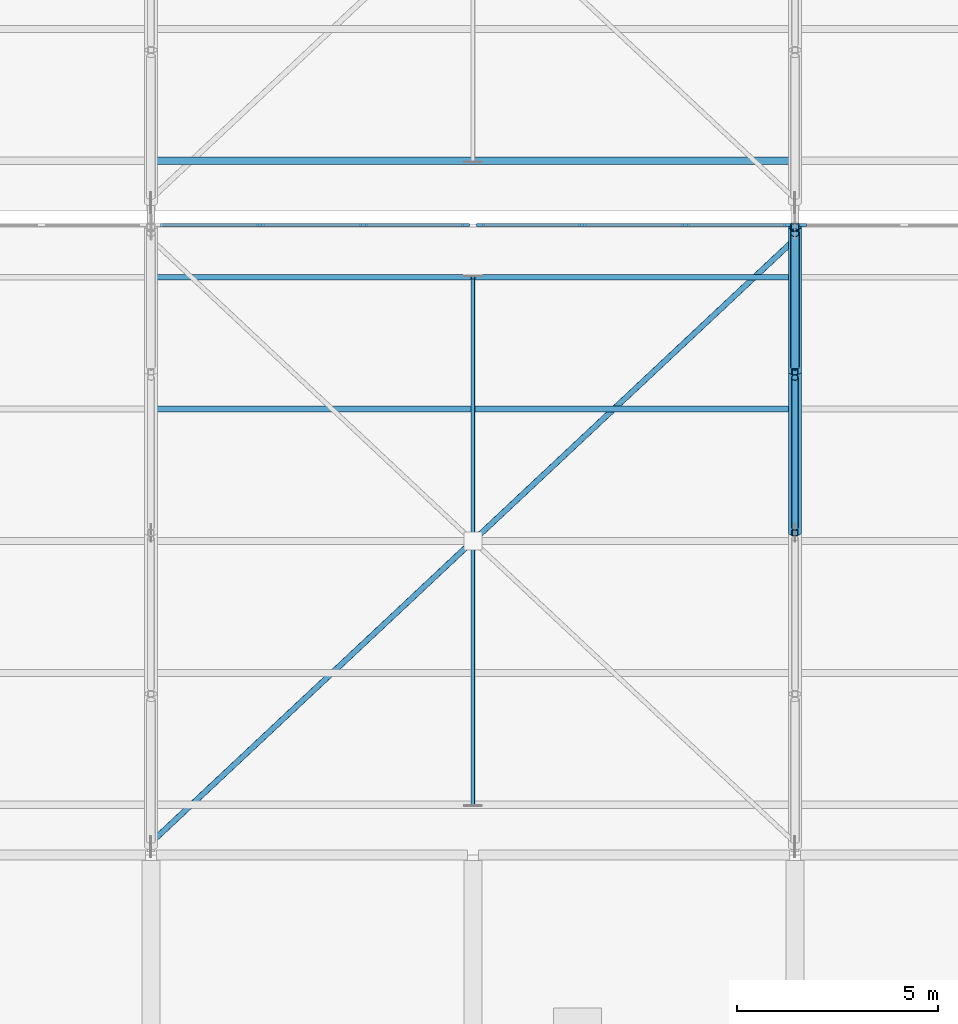
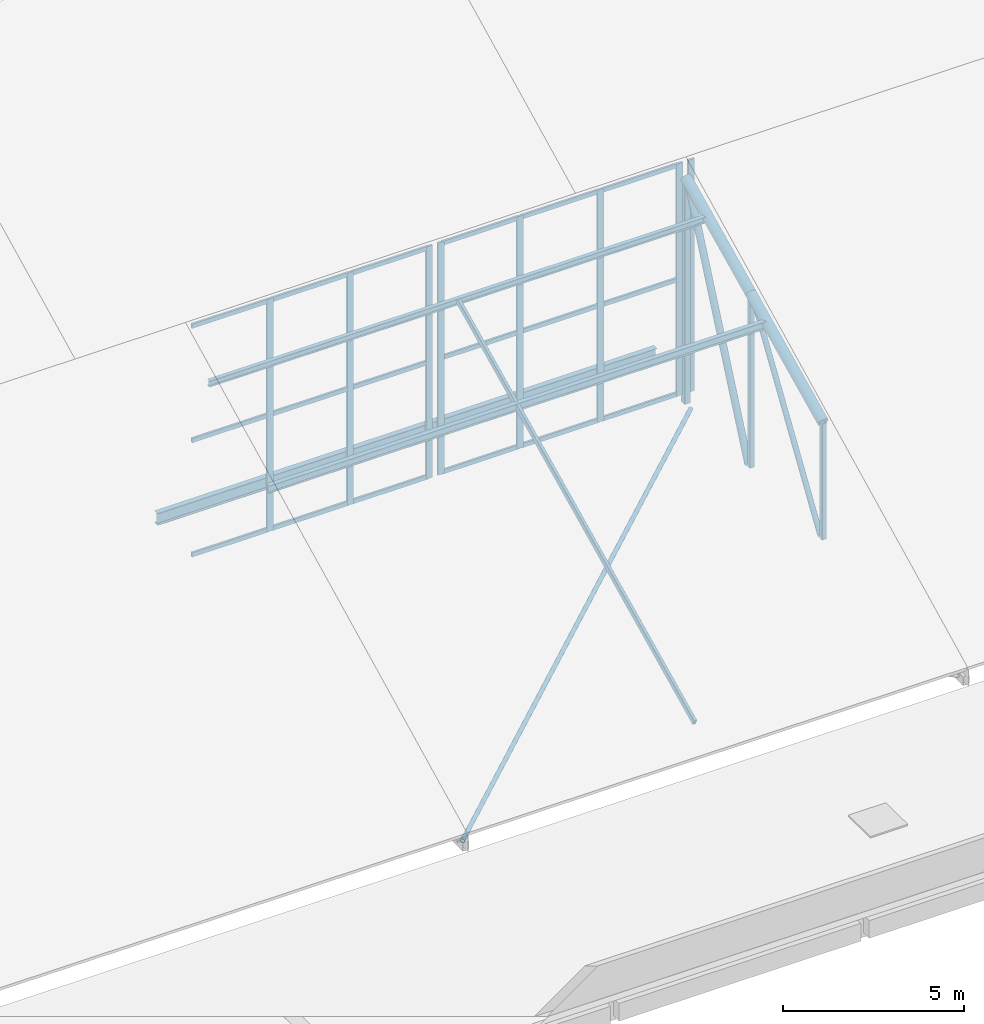
# One storey, part 77 of 137: 35 members, 3 beams, 3 elements without a shape of their own.
"""IFC4 building model written with IfcOpenShell, lengths in metres."""

import ifcopenshell
import ifcopenshell.guid

model = None  # the IFC model being written
_history = None  # IfcOwnerHistory: only IFC2X3 demands one
_inside = {}  # id of a spatial element -> (the spatial element, [elements in it])
_under = {}  # id of a project, library or spatial element -> (it, [spatial elements below it])
_declared = {}  # id of a project -> (the project, [libraries it declares])
_typed = {}  # id of a type object -> (the type object, [elements of that type])
_made_of = {}  # id of a material, layer set ... -> (it, [elements and type objects made of it])


def new_model(schema):
    """Start an empty IFC model of exactly this schema.

    Asked for "IFC4X3", IfcOpenShell would pick the latest addendum, in which some entities
    have other attributes; the version numbers below select the first issue.
    IFC2X3 requires an IfcOwnerHistory on every rooted entity: one is made here for all.
    """
    global model, _history
    if schema == "IFC4X3":
        model = ifcopenshell.file(schema_version=(4, 3, 0, 0))
    else:
        model = ifcopenshell.file(schema=schema)
    _inside.clear()
    _under.clear()
    _declared.clear()
    _typed.clear()
    _made_of.clear()
    _history = None
    if model.schema == "IFC2X3":
        org = make("IfcOrganization", Name="unknown")
        user = make(
            "IfcPersonAndOrganization",
            ThePerson=make("IfcPerson", FamilyName="unknown"),
            TheOrganization=org,
        )
        app = make(
            "IfcApplication",
            ApplicationDeveloper=org,
            Version="unknown",
            ApplicationFullName="unknown",
            ApplicationIdentifier="unknown",
        )
        _history = make(
            "IfcOwnerHistory",
            OwningUser=user,
            OwningApplication=app,
            ChangeAction="ADDED",
            CreationDate=0,
        )
    return model


def make(cls, **values):
    """One entity of the class cls with the attributes given. An attribute that is None is left unset."""
    return model.create_entity(
        cls, **{name: value for name, value in values.items() if value is not None}
    )


def rooted(cls, **values):
    """An entity with a GlobalId (a new one), such as an element, a storey or a relation."""
    return make(cls, GlobalId=ifcopenshell.guid.new(), OwnerHistory=_history, **values)


def si_unit(unit_type, name, prefix=None):
    """IfcSIUnit, for example si_unit("LENGTHUNIT", "METRE", prefix="MILLI")."""
    return make("IfcSIUnit", UnitType=unit_type, Prefix=prefix, Name=name)


def assignment(units):
    """IfcUnitAssignment: the units of a project."""
    return None if units is None else make("IfcUnitAssignment", Units=units)


def point(xyz):
    """IfcCartesianPoint."""
    return None if xyz is None else make("IfcCartesianPoint", Coordinates=xyz)


def direction(xyz):
    """IfcDirection."""
    return None if xyz is None else make("IfcDirection", DirectionRatios=xyz)


def frame(location, z_axis=None, x_axis=None):
    """IfcAxis2Placement3D, a coordinate frame: its origin and axes. An axis left out is left unset."""
    return make(
        "IfcAxis2Placement3D",
        Location=point(location),
        Axis=direction(z_axis),
        RefDirection=direction(x_axis),
    )


def frame_2d(location, x_axis=None):
    """IfcAxis2Placement2D, a coordinate frame in the plane: its origin and x axis."""
    return make(
        "IfcAxis2Placement2D", Location=point(location), RefDirection=direction(x_axis)
    )


def origin():
    """The frame at (0, 0, 0) with its axes left unset."""
    return frame((0.0, 0.0, 0.0))


def origin_2d():
    """The frame at (0, 0) in the plane with its x axis left unset."""
    return frame_2d((0.0, 0.0))


def place(relative_to, where):
    """IfcLocalPlacement: puts the frame where relative to a parent placement (None: the world)."""
    return make(
        "IfcLocalPlacement", PlacementRelTo=relative_to, RelativePlacement=where
    )


def context(
    kind, dimensions, precision=None, world=None, true_north=None, identifier=None
):
    """IfcGeometricRepresentationContext, for example the 3D "Model" context."""
    return make(
        "IfcGeometricRepresentationContext",
        ContextIdentifier=identifier,
        ContextType=kind,
        CoordinateSpaceDimension=dimensions,
        Precision=precision,
        WorldCoordinateSystem=world,
        TrueNorth=true_north,
    )


def subcontext(parent, identifier, kind, view, scale=None):
    """IfcGeometricRepresentationSubContext, for example "Body" below "Model"."""
    return make(
        "IfcGeometricRepresentationSubContext",
        ContextIdentifier=identifier,
        ContextType=kind,
        ParentContext=parent,
        TargetScale=scale,
        TargetView=view,
    )


def project(units=None, contexts=None):
    """IfcProject with its units and contexts."""
    return rooted(
        "IfcProject",
        Name="project",
        RepresentationContexts=contexts,
        UnitsInContext=assignment(units),
    )


def spatial(cls, under=None, at=None, **own):
    """A site, building, storey or space (cls), placed at a placement, below another one or the project."""
    s = rooted(cls, ObjectPlacement=at, **own)
    if under is not None:
        _under.setdefault(under.id(), (under, []))[1].append(s)
    return s


def profile(cls, at=None, kind="AREA", **sizes):
    """A parametric profile (cls). Its sizes go by their IFC names, for example OverallWidth=200.0."""
    return make(cls, ProfileType=kind, Position=at, **sizes)


def rectangle(**sizes):
    """IfcRectangleProfileDef."""
    return profile("IfcRectangleProfileDef", **sizes)


def hollow_rectangle(**sizes):
    """IfcRectangleHollowProfileDef."""
    return profile("IfcRectangleHollowProfileDef", **sizes)


def hollow_circle(**sizes):
    """IfcCircleHollowProfileDef."""
    return profile("IfcCircleHollowProfileDef", **sizes)


def i_section(**sizes):
    """IfcIShapeProfileDef."""
    return profile("IfcIShapeProfileDef", **sizes)


def extrude(swept, where, along, depth):
    """IfcExtrudedAreaSolid: the profile swept, set in the frame where, extruded along a direction by depth."""
    return make(
        "IfcExtrudedAreaSolid",
        SweptArea=swept,
        Position=where,
        ExtrudedDirection=direction(along),
        Depth=depth,
    )


def shape(context_of_items, identifier, shape_type, items):
    """IfcShapeRepresentation: the items that make up one representation, for example the "Body"."""
    return make(
        "IfcShapeRepresentation",
        ContextOfItems=context_of_items,
        RepresentationIdentifier=identifier,
        RepresentationType=shape_type,
        Items=items,
    )


def material(Name=None, Category=None):
    """IfcMaterial."""
    return make("IfcMaterial", Name=Name, Category=Category)


def layer(
    of_material, thickness, ventilated=None, Name=None, Category=None, Priority=None
):
    """IfcMaterialLayer: one layer of a wall or slab, of a material (None: an air gap)."""
    return make(
        "IfcMaterialLayer",
        Material=of_material,
        LayerThickness=thickness,
        IsVentilated=ventilated,
        Name=Name,
        Category=Category,
        Priority=Priority,
    )


def layer_set(layers, Name=None):
    """IfcMaterialLayerSet."""
    return make("IfcMaterialLayerSet", MaterialLayers=layers, LayerSetName=Name)


def material_profile(
    of_material, cross_section, Name=None, Category=None, Priority=None
):
    """IfcMaterialProfile: a cross section and its material."""
    return make(
        "IfcMaterialProfile",
        Name=Name,
        Material=of_material,
        Profile=cross_section,
        Priority=Priority,
        Category=Category,
    )


def profile_set(profiles, Name=None, composite=None):
    """IfcMaterialProfileSet."""
    return make(
        "IfcMaterialProfileSet",
        Name=Name,
        MaterialProfiles=profiles,
        CompositeProfile=composite,
    )


def made_of(thing, what):
    """Note that an element or type object is made of a material, layer set ...; save() writes the relation."""
    if what is not None:
        _made_of.setdefault(what.id(), (what, []))[1].append(thing)
    return thing


def type_object(cls, material=None, **own):
    """A type object (cls), such as IfcWallType, which elements share."""
    return made_of(rooted(cls, **own), material)


def element(
    cls,
    number,
    at=None,
    inside=None,
    cuts=None,
    type_object=None,
    material=None,
    context=None,
    identifier="Body",
    shape_type=None,
    held_by="IfcProductDefinitionShape",
    body=None,
    shapes=None,
    **own,
):
    """One element of the class cls, such as IfcWall. Its Tag is "e" and its number.

    at: its placement. inside: the storey or other place that contains it. cuts: it is an
    opening in that element (IfcRelVoidsElement). A single representation is given by context,
    identifier, shape_type and body (its items); several are given by shapes. held_by: the class
    of the entity that holds the representations. save() writes the other relations.
    """
    e = rooted(cls, Tag="e%d" % number, ObjectPlacement=at, **own)
    if body is not None:
        shapes = [shape(context, identifier, shape_type, body)]
    if shapes is not None:
        e.Representation = make(held_by, Representations=shapes)
    if inside is not None:
        _inside.setdefault(inside.id(), (inside, []))[1].append(e)
    if cuts is not None:
        rooted(
            "IfcRelVoidsElement", RelatingBuildingElement=cuts, RelatedOpeningElement=e
        )
    if type_object is not None:
        _typed.setdefault(type_object.id(), (type_object, []))[1].append(e)
    return made_of(e, material)


def aggregate(whole, parts):
    """IfcRelAggregates: a whole, such as a stair, and the parts it consists of."""
    return rooted("IfcRelAggregates", RelatingObject=whole, RelatedObjects=parts)


def save(model, path):
    """Write the relations noted so far, then the file.

    IfcRelAggregates (storeys below a building ...), IfcRelContainedInSpatialStructure (elements
    in a storey), IfcRelDefinesByType, IfcRelAssociatesMaterial and IfcRelDeclares: one each for
    every whole, place, type object, material and project.
    """
    for whole, parts in _under.values():
        aggregate(whole, parts)
    for where, things in _inside.values():
        rooted(
            "IfcRelContainedInSpatialStructure",
            RelatedElements=things,
            RelatingStructure=where,
        )
    for kind, things in _typed.values():
        rooted("IfcRelDefinesByType", RelatedObjects=things, RelatingType=kind)
    for what, things in _made_of.values():
        rooted("IfcRelAssociatesMaterial", RelatedObjects=things, RelatingMaterial=what)
    for by, libraries in _declared.values():
        rooted("IfcRelDeclares", RelatingContext=by, RelatedDefinitions=libraries)
    model.write(path)


model = new_model("IFC4")

# Units and contexts
model_context = context("Model", 3, precision=1e-05, world=origin(), true_north=direction((0.0, 1.0)))
body_context = subcontext(model_context, "Body", "Model", "MODEL_VIEW")
ifc_project = project(units=[si_unit("LENGTHUNIT", "METRE"), si_unit("AREAUNIT", "SQUARE_METRE"), si_unit("VOLUMEUNIT", "CUBIC_METRE"), si_unit("PLANEANGLEUNIT", "RADIAN"), si_unit("MASSUNIT", "GRAM", prefix="KILO")], contexts=[model_context])

# Site, building, storey
site_placement = place(None, origin())
site = spatial("IfcSite", under=ifc_project, at=site_placement, CompositionType="ELEMENT")
building_placement = place(site_placement, origin())
building = spatial("IfcBuilding", under=site, at=building_placement, Name="Jelvoka-Kovrelna Polytechnic", CompositionType="ELEMENT")
storey_placement = place(building_placement, frame((0.0, 0.0, 9.60009765625)))
storey = spatial("IfcBuildingStorey", under=building, at=storey_placement, Name="L03", CompositionType="ELEMENT", Elevation=9.60009765625)

# Members
ifc_material_1 = material(Name="Structural steel S355J2H", Category="steel")
ifc_material_profile_1 = material_profile(ifc_material_1, hollow_circle(Radius=0.06982421875, WallThickness=0.00634765625, at=origin_2d()), Name="139.7x6.3 CHS")
ifc_profile_set_1 = profile_set([ifc_material_profile_1], Name="Structural steel S355J2H")
member_type_1 = type_object("IfcMemberType", Name="Member_Brace_CHS140", PredefinedType="BRACE", material=ifc_profile_set_1)
member_1_placement = place(storey_placement, frame((152.050048828125, 88.35009765625, 0.14990234375), z_axis=(0.72968044266, 0.683788309055, 0.0), x_axis=(-0.683788309055, 0.72968044266, 0.0)))
element("IfcMember", 1, at=member_1_placement, inside=storey, type_object=member_type_1, Name="Sawtooth roof continuous X-brace 0218", PredefinedType="BRACE", context=body_context, shape_type="SweptSolid", body=[
    extrude(hollow_circle(Radius=0.06982421875, WallThickness=0.00634765625, at=origin_2d()), origin(), (0.0, 0.0, 1.0), 21.790283203125),
])
ifc_material_2 = material(Name="Structural steel S355J2H", Category="steel")
ifc_material_profile_2 = material_profile(ifc_material_2, hollow_circle(Radius=0.084228515625, WallThickness=0.008056640625, at=origin_2d()), Name="168.3x8.0 CHS")
ifc_profile_set_2 = profile_set([ifc_material_profile_2], Name="Structural steel S355J2H")
member_type_2 = type_object("IfcMemberType", Name="Member_Brace_CHS168", PredefinedType="BRACE", material=ifc_profile_set_2)
member_2_placement = place(storey_placement, frame((168.0, 96.139892578125, 0.14990234375), z_axis=(0.0, 0.5415746521, 0.840652660855), x_axis=(-1.0, 0.0, 0.0)))
element("IfcMember", 2, at=member_2_placement, inside=storey, type_object=member_type_2, Name="Sawtooth truss 6 diagonal web 1.3", PredefinedType="BRACE", context=body_context, shape_type="SweptSolid", body=[
    extrude(hollow_circle(Radius=0.084228515625, WallThickness=0.008056640625, at=origin_2d()), origin(), (0.0, 0.0, 1.0), 6.869140625),
])
ifc_material_3 = material(Name="Structural steel S355J2H", Category="steel")
ifc_material_profile_3 = material_profile(ifc_material_3, hollow_circle(Radius=0.109619140625, WallThickness=0.008056640625, at=origin_2d()), Name="219.1x8.0 CHS")
ifc_profile_set_3 = profile_set([ifc_material_profile_3], Name="Structural steel S355J2H")
member_type_3 = type_object("IfcMemberType", Name="Member_Brace_CHS219", PredefinedType="BRACE", material=ifc_profile_set_3)
member_3_placement = place(storey_placement, frame((168.0, 100.139892578125, 0.14990234375), z_axis=(0.0, 0.404336237521, 0.914610412705), x_axis=(-1.0, 0.0, 0.0)))
element("IfcMember", 3, at=member_3_placement, inside=storey, type_object=member_type_3, Name="Sawtooth truss 6 diagonal web 1.4", PredefinedType="BRACE", context=body_context, shape_type="SweptSolid", body=[
    extrude(hollow_circle(Radius=0.109619140625, WallThickness=0.008056640625, at=origin_2d()), origin(), (0.0, 0.0, 1.0), 8.211181640625),
])
ifc_material_4 = material(Name="Structural steel S355J2H", Category="steel")
ifc_material_profile_4 = material_profile(ifc_material_4, hollow_circle(Radius=0.161865234375, WallThickness=0.010009765625, at=origin_2d()), Name="323.9x10.0 CHS")
ifc_profile_set_4 = profile_set([ifc_material_profile_4], Name="Structural steel S355J2H")
member_type_4 = type_object("IfcMemberType", Name="Member_Chord_CHS324", PredefinedType="CHORD", material=ifc_profile_set_4)
member_4_placement = place(storey_placement, frame((168.0, 96.0, 4.076416015625), z_axis=(0.0, 0.900820911068, 0.434190840741), x_axis=(-1.0, 0.0, 0.0)))
element("IfcMember", 4, at=member_4_placement, inside=storey, type_object=member_type_4, Name="Sawtooth truss 6 top chord 1.3", PredefinedType="CHORD", context=body_context, shape_type="SweptSolid", body=[
    extrude(hollow_circle(Radius=0.161865234375, WallThickness=0.010009765625, at=origin_2d()), origin(), (0.0, 0.0, 1.0), 4.4404296875),
])
member_5_placement = place(storey_placement, frame((168.0, 100.0, 6.00439453125), z_axis=(0.0, 0.900784896778, 0.434265552095), x_axis=(-1.0, 0.0, 0.0)))
element("IfcMember", 5, at=member_5_placement, inside=storey, type_object=member_type_4, Name="Sawtooth truss 6 top chord 1.4", PredefinedType="CHORD", context=body_context, shape_type="SweptSolid", body=[
    extrude(hollow_circle(Radius=0.161865234375, WallThickness=0.010009765625, at=origin_2d()), origin(), (0.0, 0.0, 1.0), 3.99658203125),
])
ifc_material_5 = material(Name="Structural steel S355J2H", Category="steel")
ifc_material_profile_5 = material_profile(ifc_material_5, hollow_rectangle(XDim=0.14990234375, YDim=0.14990234375, WallThickness=0.008056640625, InnerFilletRadius=0.008056640625, OuterFilletRadius=0.011962890625, at=origin_2d()), Name="150x150x8.0 SHS")
ifc_profile_set_5 = profile_set([ifc_material_profile_5], Name="Structural steel S355J2H")
member_type_5 = type_object("IfcMemberType", Name="Member_Post_SHS150", PredefinedType="POST", material=ifc_profile_set_5)
member_6_placement = place(storey_placement, frame((168.0, 96.0, 0.14990234375), z_axis=(0.0, 0.0, 1.0), x_axis=(1.0, 0.0, 0.0)))
element("IfcMember", 6, at=member_6_placement, inside=storey, type_object=member_type_5, Name="Sawtooth truss 6 web post 1.3", PredefinedType="POST", context=body_context, shape_type="SweptSolid", body=[
    extrude(hollow_rectangle(XDim=0.14990234375, YDim=0.14990234375, WallThickness=0.008056640625, InnerFilletRadius=0.008056640625, OuterFilletRadius=0.011962890625, at=origin_2d()), origin(), (0.0, 0.0, 1.0), 3.926513671875),
])
member_7_placement = place(storey_placement, frame((168.0, 100.0, 0.14990234375), z_axis=(0.0, 0.0, 1.0), x_axis=(1.0, 0.0, 0.0)))
element("IfcMember", 7, at=member_7_placement, inside=storey, type_object=member_type_5, Name="Sawtooth truss 6 web post 1.4", PredefinedType="POST", context=body_context, shape_type="SweptSolid", body=[
    extrude(hollow_rectangle(XDim=0.14990234375, YDim=0.14990234375, WallThickness=0.008056640625, InnerFilletRadius=0.008056640625, OuterFilletRadius=0.011962890625, at=origin_2d()), origin(), (0.0, 0.0, 1.0), 5.8544921875),
])
ifc_material_6 = material(Name="Structural steel S355J2H", Category="steel")
ifc_material_profile_6 = material_profile(ifc_material_6, hollow_rectangle(XDim=0.199951171875, YDim=0.199951171875, WallThickness=0.010009765625, InnerFilletRadius=0.010009765625, OuterFilletRadius=0.014892578125, at=origin_2d()), Name="200x200x10.0 SHS")
ifc_profile_set_6 = profile_set([ifc_material_profile_6], Name="Structural steel S355J2H")
member_type_6 = type_object("IfcMemberType", Name="Member_Post_SHS200", PredefinedType="POST", material=ifc_profile_set_6)
member_8_placement = place(storey_placement, frame((168.0, 103.60009765625, 0.14990234375), z_axis=(0.0, 0.0, 1.0), x_axis=(1.0, 0.0, 0.0)))
element("IfcMember", 8, at=member_8_placement, inside=storey, type_object=member_type_6, Name="Sawtooth truss 6 web post 1.5", PredefinedType="POST", context=body_context, shape_type="SweptSolid", body=[
    extrude(hollow_rectangle(XDim=0.199951171875, YDim=0.199951171875, WallThickness=0.010009765625, InnerFilletRadius=0.010009765625, OuterFilletRadius=0.014892578125, at=origin_2d()), origin(), (0.0, 0.0, 1.0), 7.590087890625),
])
ifc_material_7 = material(Name="Structural steel S355J2H", Category="steel")
ifc_material_profile_7 = material_profile(ifc_material_7, hollow_rectangle(XDim=0.10009765625, YDim=0.199951171875, WallThickness=0.008056640625, InnerFilletRadius=0.008056640625, OuterFilletRadius=0.011962890625, at=origin_2d()), Name="200x100x8.0 RHS")
ifc_profile_set_7 = profile_set([ifc_material_profile_7], Name="Structural steel S355J2H")
member_type_7 = type_object("IfcMemberType", Name="Member_Rafter_RHS200", PredefinedType="RAFTER", material=ifc_profile_set_7)
member_9_placement = place(storey_placement, frame((160.0, 89.248046875, 0.821533203125), z_axis=(0.0, 0.900805023058, 0.434223802243), x_axis=(-1.0, 0.0, 0.0)))
element("IfcMember", 9, at=member_9_placement, inside=storey, type_object=member_type_7, Name="Sawtooth mid-bay secondary rafter 5.1", PredefinedType="RAFTER", context=body_context, shape_type="SweptSolid", body=[
    extrude(hollow_rectangle(XDim=0.10009765625, YDim=0.199951171875, WallThickness=0.008056640625, InnerFilletRadius=0.008056640625, OuterFilletRadius=0.011962890625, at=origin_2d()), origin(), (0.0, 0.0, 1.0), 14.546875),
])

# Curtain wall, members
ifc_material_8 = material(Name="Anodised aluminium 6063-T6", Category="aluminium")
ifc_layer = layer(ifc_material_8, 0.199951171875)
ifc_layer_set = layer_set([ifc_layer], Name="Anodised aluminium 6063-T6")
curtain_wall_type = type_object("IfcCurtainWallType", Name="CW_Clerestory", PredefinedType="NOTDEFINED", material=ifc_layer_set)
curtain_wall_1_placement = place(storey_placement, origin())
curtain_wall_1 = element("IfcCurtainWall", 10, at=curtain_wall_1_placement, inside=storey, type_object=curtain_wall_type, Name="L03 glazed curtain wall 199", PredefinedType="NOTDEFINED")
ifc_material_9 = material(Name="Anodised aluminium 6063-T6", Category="aluminium")
ifc_material_profile_8 = material_profile(ifc_material_9, rectangle(XDim=0.070068359375, YDim=0.199951171875, at=origin_2d()), Name="ALU 70x200")
ifc_profile_set_8 = profile_set([ifc_material_profile_8], Name="Anodised aluminium 6063-T6")
member_type_8 = type_object("IfcMemberType", Name="Mullion_M-03", PredefinedType="MULLION", material=ifc_profile_set_8)
member_10_placement = place(storey_placement, frame((154.716552734375, 103.64990234375, 0.425048828125), z_axis=(0.0, 0.0, 1.0), x_axis=(0.0, 1.0, 0.0)))
member_10 = element("IfcMember", 11, at=member_10_placement, type_object=member_type_8, Name="CW-03 mullion 2", PredefinedType="MULLION", context=body_context, shape_type="SweptSolid", body=[
    extrude(rectangle(XDim=0.070068359375, YDim=0.199951171875, at=origin_2d()), origin(), (0.0, 0.0, 1.0), 7.85009765625),
])
member_11_placement = place(storey_placement, frame((157.283447265625, 103.64990234375, 0.425048828125), z_axis=(0.0, 0.0, 1.0), x_axis=(0.0, 1.0, 0.0)))
member_11 = element("IfcMember", 12, at=member_11_placement, type_object=member_type_8, Name="CW-03 mullion 3", PredefinedType="MULLION", context=body_context, shape_type="SweptSolid", body=[
    extrude(rectangle(XDim=0.070068359375, YDim=0.199951171875, at=origin_2d()), origin(), (0.0, 0.0, 1.0), 7.85009765625),
])
member_12_placement = place(storey_placement, frame((159.81494140625, 103.64990234375, 0.425048828125), z_axis=(0.0, 0.0, 1.0), x_axis=(0.0, 1.0, 0.0)))
member_12 = element("IfcMember", 13, at=member_12_placement, type_object=member_type_8, Name="CW-03 mullion 4", PredefinedType="MULLION", context=body_context, shape_type="SweptSolid", body=[
    extrude(rectangle(XDim=0.070068359375, YDim=0.199951171875, at=origin_2d()), origin(), (0.0, 0.0, 1.0), 7.85009765625),
])

curtain_wall_2_placement = place(storey_placement, origin())
curtain_wall_2 = element("IfcCurtainWall", 14, at=curtain_wall_2_placement, inside=storey, type_object=curtain_wall_type, Name="L03 glazed curtain wall 201", PredefinedType="NOTDEFINED")
member_13_placement = place(storey_placement, frame((160.18505859375, 103.64990234375, 0.425048828125), z_axis=(0.0, 0.0, 1.0), x_axis=(0.0, 1.0, 0.0)))
member_13 = element("IfcMember", 15, at=member_13_placement, type_object=member_type_8, Name="CW-03 mullion 1", PredefinedType="MULLION", context=body_context, shape_type="SweptSolid", body=[
    extrude(rectangle(XDim=0.070068359375, YDim=0.199951171875, at=origin_2d()), origin(), (0.0, 0.0, 1.0), 7.85009765625),
])
member_14_placement = place(storey_placement, frame((162.716552734375, 103.64990234375, 0.425048828125), z_axis=(0.0, 0.0, 1.0), x_axis=(0.0, 1.0, 0.0)))
member_14 = element("IfcMember", 16, at=member_14_placement, type_object=member_type_8, Name="CW-03 mullion 2", PredefinedType="MULLION", context=body_context, shape_type="SweptSolid", body=[
    extrude(rectangle(XDim=0.070068359375, YDim=0.199951171875, at=origin_2d()), origin(), (0.0, 0.0, 1.0), 7.85009765625),
])
member_15_placement = place(storey_placement, frame((165.283447265625, 103.64990234375, 0.425048828125), z_axis=(0.0, 0.0, 1.0), x_axis=(0.0, 1.0, 0.0)))
member_15 = element("IfcMember", 17, at=member_15_placement, type_object=member_type_8, Name="CW-03 mullion 3", PredefinedType="MULLION", context=body_context, shape_type="SweptSolid", body=[
    extrude(rectangle(XDim=0.070068359375, YDim=0.199951171875, at=origin_2d()), origin(), (0.0, 0.0, 1.0), 7.85009765625),
])
member_16_placement = place(storey_placement, frame((167.81494140625, 103.64990234375, 0.425048828125), z_axis=(0.0, 0.0, 1.0), x_axis=(0.0, 1.0, 0.0)))
member_16 = element("IfcMember", 18, at=member_16_placement, type_object=member_type_8, Name="CW-03 mullion 4", PredefinedType="MULLION", context=body_context, shape_type="SweptSolid", body=[
    extrude(rectangle(XDim=0.070068359375, YDim=0.199951171875, at=origin_2d()), origin(), (0.0, 0.0, 1.0), 7.85009765625),
])

# Curtain wall, member
curtain_wall_3_placement = place(storey_placement, origin())
curtain_wall_3 = element("IfcCurtainWall", 19, at=curtain_wall_3_placement, inside=storey, type_object=curtain_wall_type, Name="L03 glazed curtain wall 203", PredefinedType="NOTDEFINED")
member_17_placement = place(storey_placement, frame((168.18505859375, 103.64990234375, 0.425048828125), z_axis=(0.0, 0.0, 1.0), x_axis=(0.0, 1.0, 0.0)))
member_17 = element("IfcMember", 20, at=member_17_placement, type_object=member_type_8, Name="CW-03 mullion 1", PredefinedType="MULLION", context=body_context, shape_type="SweptSolid", body=[
    extrude(rectangle(XDim=0.070068359375, YDim=0.199951171875, at=origin_2d()), origin(), (0.0, 0.0, 1.0), 7.85009765625),
])
aggregate(curtain_wall_3, [member_17])

# Beams
ifc_material_10 = material(Name="Structural steel S355JR", Category="steel")
ifc_material_profile_9 = material_profile(ifc_material_10, i_section(OverallWidth=0.13330078125, OverallDepth=0.203125, WebThickness=0.005615234375, FlangeThickness=0.0078125, FilletRadius=0.007568359375, at=origin_2d()), Name="203x133x25 UB")
ifc_profile_set_9 = profile_set([ifc_material_profile_9], Name="Structural steel S355JR")
beam_type_1 = type_object("IfcBeamType", Name="Purlin_Steel_UB203", PredefinedType="JOIST", material=ifc_profile_set_9)
beam_1_placement = place(storey_placement, frame((152.02001953125, 102.35205078125, 7.13818359375), z_axis=(1.0, 0.0, 0.0), x_axis=(0.0, 1.0, 0.0)))
element("IfcBeam", 21, at=beam_1_placement, inside=storey, type_object=beam_type_1, Name="Sawtooth roof purlin 045", PredefinedType="JOIST", context=body_context, shape_type="SweptSolid", body=[
    extrude(i_section(OverallWidth=0.13330078125, OverallDepth=0.203125, WebThickness=0.005615234375, FlangeThickness=0.0078125, FilletRadius=0.007568359375, at=origin_2d()), origin(), (0.0, 0.0, 1.0), 15.9599609375),
])
ifc_material_11 = material(Name="Structural steel S355JR", Category="steel")
ifc_material_profile_10 = material_profile(ifc_material_11, i_section(OverallWidth=0.14599609375, OverallDepth=0.25146484375, WebThickness=0.006103515625, FlangeThickness=0.008544921875, FilletRadius=0.007568359375, at=origin_2d()), Name="254x146x31 UB")
ifc_profile_set_10 = profile_set([ifc_material_profile_10], Name="Structural steel S355JR")
beam_type_2 = type_object("IfcBeamType", Name="Purlin_Steel_UB254", PredefinedType="JOIST", material=ifc_profile_set_10)
beam_2_placement = place(storey_placement, frame((152.02001953125, 99.075927734375, 5.55908203125), z_axis=(1.0, 0.0, 0.0), x_axis=(0.0, 1.0, 0.0)))
element("IfcBeam", 22, at=beam_2_placement, inside=storey, type_object=beam_type_2, Name="Sawtooth roof purlin 044", PredefinedType="JOIST", context=body_context, shape_type="SweptSolid", body=[
    extrude(i_section(OverallWidth=0.14599609375, OverallDepth=0.25146484375, WebThickness=0.006103515625, FlangeThickness=0.008544921875, FilletRadius=0.007568359375, at=origin_2d()), origin(), (0.0, 0.0, 1.0), 15.9599609375),
])
ifc_material_12 = material(Name="Structural steel S355JR", Category="steel")
ifc_material_profile_11 = material_profile(ifc_material_12, i_section(OverallWidth=0.177978515625, OverallDepth=0.406494140625, WebThickness=0.0078125, FlangeThickness=0.0126953125, FilletRadius=0.01025390625, at=origin_2d()), Name="406x178x60 UB")
ifc_profile_set_11 = profile_set([ifc_material_profile_11], Name="Structural steel S355JR")
beam_type_3 = type_object("IfcBeamType", Name="Purlin_Steel_UB406", PredefinedType="JOIST", material=ifc_profile_set_11)
beam_3_placement = place(storey_placement, frame((152.02001953125, 105.248046875, 0.821533203125), z_axis=(1.0, 0.0, 0.0), x_axis=(0.0, 1.0, 0.0)))
element("IfcBeam", 23, at=beam_3_placement, inside=storey, type_object=beam_type_3, Name="Sawtooth roof purlin 046", PredefinedType="JOIST", context=body_context, shape_type="SweptSolid", body=[
    extrude(i_section(OverallWidth=0.177978515625, OverallDepth=0.406494140625, WebThickness=0.0078125, FlangeThickness=0.0126953125, FilletRadius=0.01025390625, at=origin_2d()), origin(), (0.0, 0.0, 1.0), 15.9599609375),
])

# Member
ifc_material_13 = material(Name="Anodised aluminium 6063-T6", Category="aluminium")
ifc_material_profile_12 = material_profile(ifc_material_13, rectangle(XDim=0.070068359375, YDim=0.14501953125, at=origin_2d()), Name="ALU 70x145")
ifc_profile_set_12 = profile_set([ifc_material_profile_12], Name="Anodised aluminium 6063-T6")
member_type_9 = type_object("IfcMemberType", Name="Transom_T-03", PredefinedType="USERDEFINED", material=ifc_profile_set_12)
member_18_placement = place(storey_placement, frame((152.219970703125, 103.64990234375, 0.48486328125), z_axis=(1.0, 0.0, 0.0), x_axis=(0.0, 1.0, 0.0)))
member_18 = element("IfcMember", 24, at=member_18_placement, type_object=member_type_9, Name="CW-03 transom 1.1", ObjectType="TRANSOM", PredefinedType="USERDEFINED", context=body_context, shape_type="SweptSolid", body=[
    extrude(rectangle(XDim=0.070068359375, YDim=0.14501953125, at=origin_2d()), origin(), (0.0, 0.0, 1.0), 2.461669921875),
])

member_19_placement = place(storey_placement, frame((152.219970703125, 103.64990234375, 4.349853515625), z_axis=(1.0, 0.0, 0.0), x_axis=(0.0, 1.0, 0.0)))
member_19 = element("IfcMember", 25, at=member_19_placement, type_object=member_type_9, Name="CW-03 transom 1.2", ObjectType="TRANSOM", PredefinedType="USERDEFINED", context=body_context, shape_type="SweptSolid", body=[
    extrude(rectangle(XDim=0.070068359375, YDim=0.14501953125, at=origin_2d()), origin(), (0.0, 0.0, 1.0), 2.461669921875),
])

member_20_placement = place(storey_placement, frame((152.219970703125, 103.64990234375, 8.21484375), z_axis=(1.0, 0.0, 0.0), x_axis=(0.0, 1.0, 0.0)))
member_20 = element("IfcMember", 26, at=member_20_placement, type_object=member_type_9, Name="CW-03 transom 1.3", ObjectType="TRANSOM", PredefinedType="USERDEFINED", context=body_context, shape_type="SweptSolid", body=[
    extrude(rectangle(XDim=0.070068359375, YDim=0.14501953125, at=origin_2d()), origin(), (0.0, 0.0, 1.0), 2.461669921875),
])

member_21_placement = place(storey_placement, frame((154.751708984375, 103.64990234375, 0.48486328125), z_axis=(1.0, 0.0, 0.0), x_axis=(0.0, 1.0, 0.0)))
member_21 = element("IfcMember", 27, at=member_21_placement, type_object=member_type_9, Name="CW-03 transom 2.1", ObjectType="TRANSOM", PredefinedType="USERDEFINED", context=body_context, shape_type="SweptSolid", body=[
    extrude(rectangle(XDim=0.070068359375, YDim=0.14501953125, at=origin_2d()), origin(), (0.0, 0.0, 1.0), 2.49658203125),
])

member_22_placement = place(storey_placement, frame((154.751708984375, 103.64990234375, 4.349853515625), z_axis=(1.0, 0.0, 0.0), x_axis=(0.0, 1.0, 0.0)))
member_22 = element("IfcMember", 28, at=member_22_placement, type_object=member_type_9, Name="CW-03 transom 2.2", ObjectType="TRANSOM", PredefinedType="USERDEFINED", context=body_context, shape_type="SweptSolid", body=[
    extrude(rectangle(XDim=0.070068359375, YDim=0.14501953125, at=origin_2d()), origin(), (0.0, 0.0, 1.0), 2.49658203125),
])

member_23_placement = place(storey_placement, frame((154.751708984375, 103.64990234375, 8.21484375), z_axis=(1.0, 0.0, 0.0), x_axis=(0.0, 1.0, 0.0)))
member_23 = element("IfcMember", 29, at=member_23_placement, type_object=member_type_9, Name="CW-03 transom 2.3", ObjectType="TRANSOM", PredefinedType="USERDEFINED", context=body_context, shape_type="SweptSolid", body=[
    extrude(rectangle(XDim=0.070068359375, YDim=0.14501953125, at=origin_2d()), origin(), (0.0, 0.0, 1.0), 2.49658203125),
])

member_24_placement = place(storey_placement, frame((157.318359375, 103.64990234375, 0.48486328125), z_axis=(1.0, 0.0, 0.0), x_axis=(0.0, 1.0, 0.0)))
member_24 = element("IfcMember", 30, at=member_24_placement, type_object=member_type_9, Name="CW-03 transom 3.1", ObjectType="TRANSOM", PredefinedType="USERDEFINED", context=body_context, shape_type="SweptSolid", body=[
    extrude(rectangle(XDim=0.070068359375, YDim=0.14501953125, at=origin_2d()), origin(), (0.0, 0.0, 1.0), 2.461669921875),
])

member_25_placement = place(storey_placement, frame((157.318359375, 103.64990234375, 4.349853515625), z_axis=(1.0, 0.0, 0.0), x_axis=(0.0, 1.0, 0.0)))
member_25 = element("IfcMember", 31, at=member_25_placement, type_object=member_type_9, Name="CW-03 transom 3.2", ObjectType="TRANSOM", PredefinedType="USERDEFINED", context=body_context, shape_type="SweptSolid", body=[
    extrude(rectangle(XDim=0.070068359375, YDim=0.14501953125, at=origin_2d()), origin(), (0.0, 0.0, 1.0), 2.461669921875),
])

member_26_placement = place(storey_placement, frame((157.318359375, 103.64990234375, 8.21484375), z_axis=(1.0, 0.0, 0.0), x_axis=(0.0, 1.0, 0.0)))
member_26 = element("IfcMember", 32, at=member_26_placement, type_object=member_type_9, Name="CW-03 transom 3.3", ObjectType="TRANSOM", PredefinedType="USERDEFINED", context=body_context, shape_type="SweptSolid", body=[
    extrude(rectangle(XDim=0.070068359375, YDim=0.14501953125, at=origin_2d()), origin(), (0.0, 0.0, 1.0), 2.461669921875),
])

aggregate(curtain_wall_1, [member_10, member_11, member_12, member_18, member_19, member_20, member_21, member_22, member_23, member_24, member_25, member_26])

member_27_placement = place(storey_placement, frame((160.219970703125, 103.64990234375, 0.48486328125), z_axis=(1.0, 0.0, 0.0), x_axis=(0.0, 1.0, 0.0)))
member_27 = element("IfcMember", 33, at=member_27_placement, type_object=member_type_9, Name="CW-03 transom 1.1", ObjectType="TRANSOM", PredefinedType="USERDEFINED", context=body_context, shape_type="SweptSolid", body=[
    extrude(rectangle(XDim=0.070068359375, YDim=0.14501953125, at=origin_2d()), origin(), (0.0, 0.0, 1.0), 2.461669921875),
])

member_28_placement = place(storey_placement, frame((160.219970703125, 103.64990234375, 4.349853515625), z_axis=(1.0, 0.0, 0.0), x_axis=(0.0, 1.0, 0.0)))
member_28 = element("IfcMember", 34, at=member_28_placement, type_object=member_type_9, Name="CW-03 transom 1.2", ObjectType="TRANSOM", PredefinedType="USERDEFINED", context=body_context, shape_type="SweptSolid", body=[
    extrude(rectangle(XDim=0.070068359375, YDim=0.14501953125, at=origin_2d()), origin(), (0.0, 0.0, 1.0), 2.461669921875),
])

member_29_placement = place(storey_placement, frame((160.219970703125, 103.64990234375, 8.21484375), z_axis=(1.0, 0.0, 0.0), x_axis=(0.0, 1.0, 0.0)))
member_29 = element("IfcMember", 35, at=member_29_placement, type_object=member_type_9, Name="CW-03 transom 1.3", ObjectType="TRANSOM", PredefinedType="USERDEFINED", context=body_context, shape_type="SweptSolid", body=[
    extrude(rectangle(XDim=0.070068359375, YDim=0.14501953125, at=origin_2d()), origin(), (0.0, 0.0, 1.0), 2.461669921875),
])

member_30_placement = place(storey_placement, frame((162.751708984375, 103.64990234375, 0.48486328125), z_axis=(1.0, 0.0, 0.0), x_axis=(0.0, 1.0, 0.0)))
member_30 = element("IfcMember", 36, at=member_30_placement, type_object=member_type_9, Name="CW-03 transom 2.1", ObjectType="TRANSOM", PredefinedType="USERDEFINED", context=body_context, shape_type="SweptSolid", body=[
    extrude(rectangle(XDim=0.070068359375, YDim=0.14501953125, at=origin_2d()), origin(), (0.0, 0.0, 1.0), 2.49658203125),
])

member_31_placement = place(storey_placement, frame((162.751708984375, 103.64990234375, 4.349853515625), z_axis=(1.0, 0.0, 0.0), x_axis=(0.0, 1.0, 0.0)))
member_31 = element("IfcMember", 37, at=member_31_placement, type_object=member_type_9, Name="CW-03 transom 2.2", ObjectType="TRANSOM", PredefinedType="USERDEFINED", context=body_context, shape_type="SweptSolid", body=[
    extrude(rectangle(XDim=0.070068359375, YDim=0.14501953125, at=origin_2d()), origin(), (0.0, 0.0, 1.0), 2.49658203125),
])

member_32_placement = place(storey_placement, frame((162.751708984375, 103.64990234375, 8.21484375), z_axis=(1.0, 0.0, 0.0), x_axis=(0.0, 1.0, 0.0)))
member_32 = element("IfcMember", 38, at=member_32_placement, type_object=member_type_9, Name="CW-03 transom 2.3", ObjectType="TRANSOM", PredefinedType="USERDEFINED", context=body_context, shape_type="SweptSolid", body=[
    extrude(rectangle(XDim=0.070068359375, YDim=0.14501953125, at=origin_2d()), origin(), (0.0, 0.0, 1.0), 2.49658203125),
])

member_33_placement = place(storey_placement, frame((165.318359375, 103.64990234375, 0.48486328125), z_axis=(1.0, 0.0, 0.0), x_axis=(0.0, 1.0, 0.0)))
member_33 = element("IfcMember", 39, at=member_33_placement, type_object=member_type_9, Name="CW-03 transom 3.1", ObjectType="TRANSOM", PredefinedType="USERDEFINED", context=body_context, shape_type="SweptSolid", body=[
    extrude(rectangle(XDim=0.070068359375, YDim=0.14501953125, at=origin_2d()), origin(), (0.0, 0.0, 1.0), 2.461669921875),
])

member_34_placement = place(storey_placement, frame((165.318359375, 103.64990234375, 4.349853515625), z_axis=(1.0, 0.0, 0.0), x_axis=(0.0, 1.0, 0.0)))
member_34 = element("IfcMember", 40, at=member_34_placement, type_object=member_type_9, Name="CW-03 transom 3.2", ObjectType="TRANSOM", PredefinedType="USERDEFINED", context=body_context, shape_type="SweptSolid", body=[
    extrude(rectangle(XDim=0.070068359375, YDim=0.14501953125, at=origin_2d()), origin(), (0.0, 0.0, 1.0), 2.461669921875),
])

member_35_placement = place(storey_placement, frame((165.318359375, 103.64990234375, 8.21484375), z_axis=(1.0, 0.0, 0.0), x_axis=(0.0, 1.0, 0.0)))
member_35 = element("IfcMember", 41, at=member_35_placement, type_object=member_type_9, Name="CW-03 transom 3.3", ObjectType="TRANSOM", PredefinedType="USERDEFINED", context=body_context, shape_type="SweptSolid", body=[
    extrude(rectangle(XDim=0.070068359375, YDim=0.14501953125, at=origin_2d()), origin(), (0.0, 0.0, 1.0), 2.461669921875),
])

aggregate(curtain_wall_2, [member_13, member_14, member_15, member_16, member_27, member_28, member_29, member_30, member_31, member_32, member_33, member_34, member_35])

save(model, "model.ifc")
